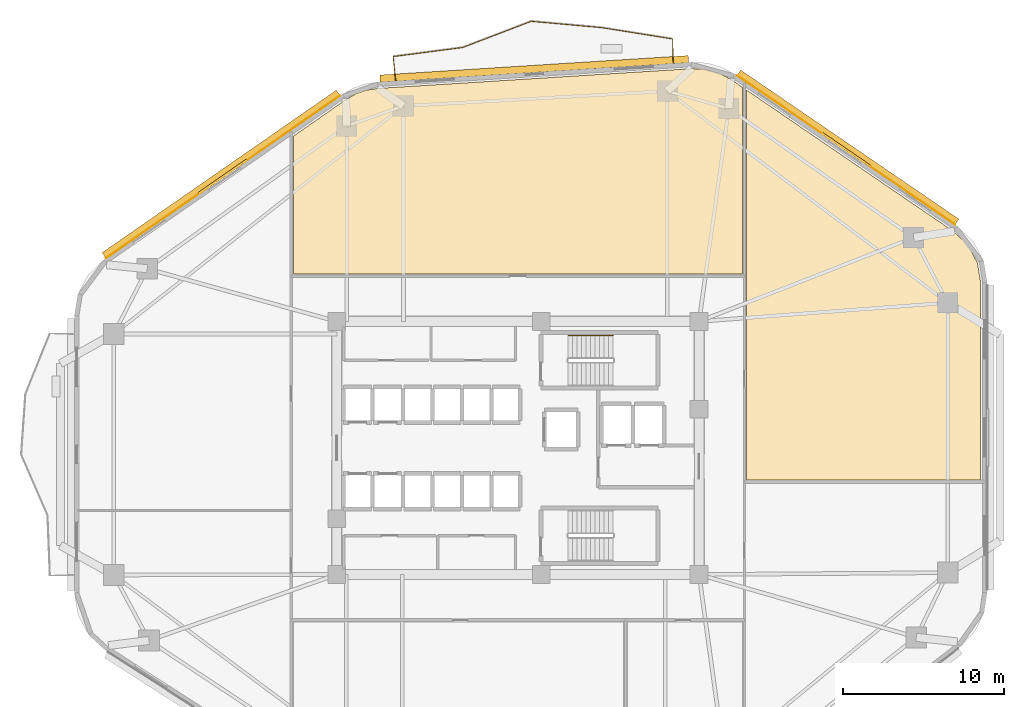
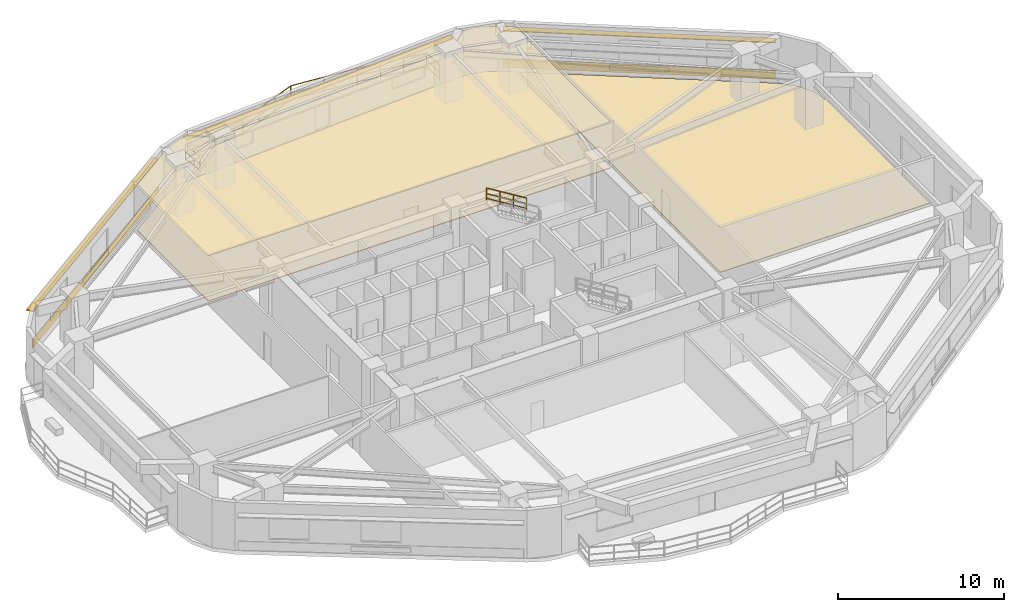
# One storey, part 9 of 9: 7 railings, 5 coverings, 5 shading devices.
"""IFC4 building model written with IfcOpenShell, lengths in metres."""

from ifc_helpers import new_model, si_unit, direction, frame, origin, origin_2d, place, context, subcontext, project, spatial, polyline, rectangle, outline, extrude, material, layer, layer_set, type_object, element, save


model = new_model("IFC4")

# Units and contexts
model_context = context("Model", 3, precision=1e-05, world=origin(), true_north=direction((0.0, 1.0)))
body_context = subcontext(model_context, "Body", "Model", "MODEL_VIEW")
ifc_project = project(units=[si_unit("LENGTHUNIT", "METRE"), si_unit("AREAUNIT", "SQUARE_METRE"), si_unit("VOLUMEUNIT", "CUBIC_METRE"), si_unit("PLANEANGLEUNIT", "RADIAN"), si_unit("MASSUNIT", "GRAM", prefix="KILO")], contexts=[model_context])

# Site, building, storey
site_placement = place(None, origin())
site = spatial("IfcSite", under=ifc_project, at=site_placement, CompositionType="ELEMENT")
building_placement = place(site_placement, origin())
building = spatial("IfcBuilding", under=site, at=building_placement, Name="Zulverin Broadcast Headquarters", CompositionType="ELEMENT")
storey_placement = place(building_placement, frame((0.0, 0.0, 74.39990234375)))
storey = spatial("IfcBuildingStorey", under=building, at=storey_placement, Name="L18", CompositionType="ELEMENT", Elevation=74.39990234375)

# Coverings
ifc_material_1 = material(Name="Perforated pale-metal acoustic baffle ceiling", Category="aluminium")
ifc_layer_1 = layer(ifc_material_1, 0.0400390625, Name="Perforated pale-metal acoustic baffle ceiling", Category="aluminium")
ifc_layer_set_1 = layer_set([ifc_layer_1], Name="Perforated pale-metal acoustic baffle ceiling")
covering_type_1 = type_object("IfcCoveringType", Name="COV-CEIL-ACOU", PredefinedType="CEILING", material=ifc_layer_set_1)
covering_1_placement = place(storey_placement, frame((0.0, 0.0, 3.34521484375)))
element("IfcCovering", 1, at=covering_1_placement, inside=storey, type_object=covering_type_1, Name="L18 Acoustic Baffle Ceiling 01", PredefinedType="CEILING", context=body_context, shape_type="SweptSolid", body=[
    extrude(outline(polyline([(48.68408203125, 48.76806640625), (47.823974609375, 48.80810546875), (28.27587890625, 47.575927734375), (27.575927734375, 47.468017578125), (26.927978515625, 47.243896484375), (26.31591796875, 46.89599609375), (23.02001953125, 44.60400390625), (23.02001953125, 36.02001953125), (50.97998046875, 36.02001953125), (50.97998046875, 47.64404296875), (50.248046875, 48.139892578125), (49.491943359375, 48.548095703125), (48.68408203125, 48.76806640625)])), origin(), (0.0, 0.0, 1.0), 0.039794921875),
])
ifc_material_2 = material(Name="Brushed pale-aluminium rainscreen cladding", Category="aluminium")
ifc_layer_2 = layer(ifc_material_2, 0.0400390625, Name="Brushed pale-aluminium rainscreen cladding", Category="aluminium")
ifc_layer_set_2 = layer_set([ifc_layer_2], Name="Brushed pale-aluminium rainscreen cladding")
covering_type_2 = type_object("IfcCoveringType", Name="COV-CLAD-PALE", PredefinedType="CLADDING", material=ifc_layer_set_2)
covering_2_placement = place(storey_placement, frame((57.418212890625, 43.742431640625, 0.05517578125), z_axis=(0.0, 0.0, 1.0), x_axis=(-0.825756855157, 0.564026254851, 0.0)))
element("IfcCovering", 2, at=covering_2_placement, inside=storey, type_object=covering_type_2, Name="L18 Brushed Pale-Aluminium Spandrel Cladding 4", PredefinedType="CLADDING", context=body_context, shape_type="SweptSolid", body=[
    extrude(rectangle(XDim=16.4482421875, YDim=0.0400390625, at=origin_2d()), origin(), (0.0, 0.0, 1.0), 0.64990234375),
])
covering_3_placement = place(storey_placement, frame((18.648193359375, 42.072021484375, 0.05517578125), z_axis=(0.0, 0.0, 1.0), x_axis=(-0.821556397865, -0.57012725345, 0.0)))
element("IfcCovering", 3, at=covering_3_placement, inside=storey, type_object=covering_type_2, Name="L18 Brushed Pale-Aluminium Spandrel Cladding 6", PredefinedType="CLADDING", context=body_context, shape_type="SweptSolid", body=[
    extrude(rectangle(XDim=17.732421875, YDim=0.0400390625, at=origin_2d()), origin(), (0.0, 0.0, 1.0), 0.64990234375),
])
ifc_material_3 = material(Name="Anti-static broadcast raised access flooring", Category="stone")
ifc_layer_3 = layer(ifc_material_3, 0.050048828125, Name="Anti-static broadcast raised access flooring", Category="stone")
ifc_layer_set_3 = layer_set([ifc_layer_3], Name="Anti-static broadcast raised access flooring")
covering_type_3 = type_object("IfcCoveringType", Name="COV-FLR-RAISED", PredefinedType="FLOORING", material=ifc_layer_set_3)
covering_4_placement = place(storey_placement, origin())
element("IfcCovering", 4, at=covering_4_placement, inside=storey, type_object=covering_type_3, Name="L18 Broadcast Raised Access Flooring 01", PredefinedType="FLOORING", context=body_context, shape_type="SweptSolid", body=[
    extrude(outline(polyline([(48.68408203125, 48.76806640625), (47.823974609375, 48.80810546875), (28.27587890625, 47.575927734375), (27.575927734375, 47.468017578125), (26.927978515625, 47.243896484375), (26.31591796875, 46.89599609375), (23.02001953125, 44.60400390625), (23.02001953125, 36.02001953125), (50.97998046875, 36.02001953125), (50.97998046875, 47.64404296875), (50.248046875, 48.139892578125), (49.491943359375, 48.548095703125), (48.68408203125, 48.76806640625)])), origin(), (0.0, 0.0, 1.0), 0.050048828125),
])
covering_5_placement = place(storey_placement, origin())
element("IfcCovering", 5, at=covering_5_placement, inside=storey, type_object=covering_type_3, Name="L18 Broadcast Raised Access Flooring 02", PredefinedType="FLOORING", context=body_context, shape_type="SweptSolid", body=[
    extrude(outline(polyline([(65.800048828125, 23.219970703125), (65.800048828125, 35.48388671875), (65.595947265625, 36.719970703125), (65.028076171875, 37.803955078125), (64.115966796875, 38.672119140625), (51.219970703125, 47.47998046875), (51.219970703125, 23.219970703125), (65.800048828125, 23.219970703125)])), origin(), (0.0, 0.0, 1.0), 0.050048828125),
])

# Railings
ifc_material_4 = material(Name="Brushed stainless steel & laminated glass balustrade", Category="steel")
railing_type_1 = type_object("IfcRailingType", Name="RL-GUARD-1150", PredefinedType="GUARDRAIL", material=ifc_material_4)
railing_1_placement = place(storey_placement, frame((46.662841796875, 49.176025390625, 0.0)))
element("IfcRailing", 6, at=railing_1_placement, inside=storey, type_object=railing_type_1, Name="L18 Vertical-Forest Balcony Guardrail BAL_N Segment 01", PredefinedType="GUARDRAIL", context=body_context, shape_type="SweptSolid", body=[
    extrude(rectangle(XDim=0.048095703125, YDim=0.048095703125, at=origin_2d()), frame((0.0, 0.0, 1.1259765625), z_axis=(-0.022479328211, 0.999747307975, 0.0), x_axis=(-0.999747307975, -0.022479328211, 0.0)), (0.0, 0.0, 1.0), 1.46630859375),
    extrude(rectangle(XDim=0.0419921875, YDim=0.0419921875, at=origin_2d()), frame((0.0, 0.0, 0.597900390625), z_axis=(-0.022479328211, 0.999747307975, 0.0), x_axis=(-0.999747307975, -0.022479328211, 0.0)), (0.0, 0.0, 1.0), 1.46630859375),
    extrude(rectangle(XDim=0.0419921875, YDim=0.0419921875, at=origin_2d()), frame((0.0, 0.0, 0.1201171875), z_axis=(-0.022479328211, 0.999747307975, 0.0), x_axis=(-0.999747307975, -0.022479328211, 0.0)), (0.0, 0.0, 1.0), 1.46630859375),
    extrude(rectangle(XDim=0.0419921875, YDim=0.0419921875, at=origin_2d()), origin(), (0.0, 0.0, 1.0), 1.101806640625),
    extrude(rectangle(XDim=0.0419921875, YDim=0.0419921875, at=origin_2d()), frame((-0.032958984375, 1.4658203125, 0.0)), (0.0, 0.0, 1.0), 1.101806640625),
])
railing_2_placement = place(storey_placement, frame((46.61474609375, 50.6591796875, 0.0)))
element("IfcRailing", 7, at=railing_2_placement, inside=storey, type_object=railing_type_1, Name="L18 Vertical-Forest Balcony Guardrail BAL_N Segment 02", PredefinedType="GUARDRAIL", context=body_context, shape_type="SweptSolid", body=[
    extrude(rectangle(XDim=0.048095703125, YDim=0.048095703125, at=origin_2d()), frame((0.0, 0.0, 1.1259765625), z_axis=(-0.98753524025, 0.157398059915, 0.0), x_axis=(-0.157398059915, -0.98753524025, 0.0)), (0.0, 0.0, 1.0), 4.43603515625),
    extrude(rectangle(XDim=0.0419921875, YDim=0.0419921875, at=origin_2d()), frame((0.0, 0.0, 0.597900390625), z_axis=(-0.98753524025, 0.157398059915, 0.0), x_axis=(-0.157398059915, -0.98753524025, 0.0)), (0.0, 0.0, 1.0), 4.43603515625),
    extrude(rectangle(XDim=0.0419921875, YDim=0.0419921875, at=origin_2d()), frame((0.0, 0.0, 0.1201171875), z_axis=(-0.98753524025, 0.157398059915, 0.0), x_axis=(-0.157398059915, -0.98753524025, 0.0)), (0.0, 0.0, 1.0), 4.43603515625),
    extrude(rectangle(XDim=0.0419921875, YDim=0.0419921875, at=origin_2d()), origin(), (0.0, 0.0, 1.0), 1.101806640625),
    extrude(rectangle(XDim=0.0419921875, YDim=0.0419921875, at=origin_2d()), frame((-1.460205078125, 0.232666015625, 0.0)), (0.0, 0.0, 1.0), 1.101806640625),
    extrude(rectangle(XDim=0.0419921875, YDim=0.0419921875, at=origin_2d()), frame((-2.920654296875, 0.465576171875, 0.0)), (0.0, 0.0, 1.0), 1.101806640625),
    extrude(rectangle(XDim=0.0419921875, YDim=0.0419921875, at=origin_2d()), frame((-4.380859375, 0.6982421875, 0.0)), (0.0, 0.0, 1.0), 1.101806640625),
])
railing_3_placement = place(storey_placement, frame((42.2041015625, 51.361083984375, 0.0)))
element("IfcRailing", 8, at=railing_3_placement, inside=storey, type_object=railing_type_1, Name="L18 Vertical-Forest Balcony Guardrail BAL_N Segment 03", PredefinedType="GUARDRAIL", context=body_context, shape_type="SweptSolid", body=[
    extrude(rectangle(XDim=0.048095703125, YDim=0.048095703125, at=origin_2d()), frame((0.0, 0.0, 1.1259765625), z_axis=(-0.995967815769, 0.089711258779, 0.0), x_axis=(-0.089711258779, -0.995967815769, 0.0)), (0.0, 0.0, 1.0), 4.378662109375),
    extrude(rectangle(XDim=0.0419921875, YDim=0.0419921875, at=origin_2d()), frame((0.0, 0.0, 0.597900390625), z_axis=(-0.995967815769, 0.089711258779, 0.0), x_axis=(-0.089711258779, -0.995967815769, 0.0)), (0.0, 0.0, 1.0), 4.378662109375),
    extrude(rectangle(XDim=0.0419921875, YDim=0.0419921875, at=origin_2d()), frame((0.0, 0.0, 0.1201171875), z_axis=(-0.995967815769, 0.089711258779, 0.0), x_axis=(-0.089711258779, -0.995967815769, 0.0)), (0.0, 0.0, 1.0), 4.378662109375),
    extrude(rectangle(XDim=0.0419921875, YDim=0.0419921875, at=origin_2d()), origin(), (0.0, 0.0, 1.0), 1.101806640625),
    extrude(rectangle(XDim=0.0419921875, YDim=0.0419921875, at=origin_2d()), frame((-2.1806640625, 0.1962890625, 0.0)), (0.0, 0.0, 1.0), 1.101806640625),
    extrude(rectangle(XDim=0.0419921875, YDim=0.0419921875, at=origin_2d()), frame((-4.361083984375, 0.392822265625, 0.0)), (0.0, 0.0, 1.0), 1.101806640625),
])
railing_4_placement = place(storey_placement, frame((37.814208984375, 51.749755859375, 0.0)))
element("IfcRailing", 9, at=railing_4_placement, inside=storey, type_object=railing_type_1, Name="L18 Vertical-Forest Balcony Guardrail BAL_N Segment 04", PredefinedType="GUARDRAIL", context=body_context, shape_type="SweptSolid", body=[
    extrude(rectangle(XDim=0.048095703125, YDim=0.048095703125, at=origin_2d()), frame((0.0, 0.0, 1.1259765625), z_axis=(-0.934010095267, -0.357246612215, 0.0), x_axis=(0.357246612215, -0.934010095267, 0.0)), (0.0, 0.0, 1.0), 4.534423828125),
    extrude(rectangle(XDim=0.0419921875, YDim=0.0419921875, at=origin_2d()), frame((0.0, 0.0, 0.597900390625), z_axis=(-0.934010095267, -0.357246612215, 0.0), x_axis=(0.357246612215, -0.934010095267, 0.0)), (0.0, 0.0, 1.0), 4.534423828125),
    extrude(rectangle(XDim=0.0419921875, YDim=0.0419921875, at=origin_2d()), frame((0.0, 0.0, 0.1201171875), z_axis=(-0.934010095267, -0.357246612215, 0.0), x_axis=(0.357246612215, -0.934010095267, 0.0)), (0.0, 0.0, 1.0), 4.534423828125),
    extrude(rectangle(XDim=0.0419921875, YDim=0.0419921875, at=origin_2d()), origin(), (0.0, 0.0, 1.0), 1.101806640625),
    extrude(rectangle(XDim=0.0419921875, YDim=0.0419921875, at=origin_2d()), frame((-1.41162109375, -0.5400390625, 0.0)), (0.0, 0.0, 1.0), 1.101806640625),
    extrude(rectangle(XDim=0.0419921875, YDim=0.0419921875, at=origin_2d()), frame((-2.823486328125, -1.079833984375, 0.0)), (0.0, 0.0, 1.0), 1.101806640625),
    extrude(rectangle(XDim=0.0419921875, YDim=0.0419921875, at=origin_2d()), frame((-4.235107421875, -1.619873046875, 0.0)), (0.0, 0.0, 1.0), 1.101806640625),
])
railing_5_placement = place(storey_placement, frame((33.550048828125, 50.12255859375, 0.0)))
element("IfcRailing", 10, at=railing_5_placement, inside=storey, type_object=railing_type_1, Name="L18 Vertical-Forest Balcony Guardrail BAL_N Segment 05", PredefinedType="GUARDRAIL", context=body_context, shape_type="SweptSolid", body=[
    extrude(rectangle(XDim=0.048095703125, YDim=0.048095703125, at=origin_2d()), frame((0.0, 0.0, 1.1259765625), z_axis=(-0.99161202167, -0.129250139186, 0.0), x_axis=(0.129250139186, -0.99161202167, 0.0)), (0.0, 0.0, 1.0), 4.3369140625),
    extrude(rectangle(XDim=0.0419921875, YDim=0.0419921875, at=origin_2d()), frame((0.0, 0.0, 0.597900390625), z_axis=(-0.99161202167, -0.129250139186, 0.0), x_axis=(0.129250139186, -0.99161202167, 0.0)), (0.0, 0.0, 1.0), 4.3369140625),
    extrude(rectangle(XDim=0.0419921875, YDim=0.0419921875, at=origin_2d()), frame((0.0, 0.0, 0.1201171875), z_axis=(-0.99161202167, -0.129250139186, 0.0), x_axis=(0.129250139186, -0.99161202167, 0.0)), (0.0, 0.0, 1.0), 4.3369140625),
    extrude(rectangle(XDim=0.0419921875, YDim=0.0419921875, at=origin_2d()), origin(), (0.0, 0.0, 1.0), 1.101806640625),
    extrude(rectangle(XDim=0.0419921875, YDim=0.0419921875, at=origin_2d()), frame((-2.150390625, -0.2802734375, 0.0)), (0.0, 0.0, 1.0), 1.101806640625),
    extrude(rectangle(XDim=0.0419921875, YDim=0.0419921875, at=origin_2d()), frame((-4.300537109375, -0.560546875, 0.0)), (0.0, 0.0, 1.0), 1.101806640625),
])
railing_6_placement = place(storey_placement, frame((29.236083984375, 49.545166015625, 0.0)))
element("IfcRailing", 11, at=railing_6_placement, inside=storey, type_object=railing_type_1, Name="L18 Vertical-Forest Balcony Guardrail BAL_N Segment 06", PredefinedType="GUARDRAIL", context=body_context, shape_type="SweptSolid", body=[
    extrude(rectangle(XDim=0.048095703125, YDim=0.048095703125, at=origin_2d()), frame((0.0, 0.0, 1.1259765625), z_axis=(0.103393334431, -0.994640547331, 0.0), x_axis=(0.994640547331, 0.103393334431, 0.0)), (0.0, 0.0, 1.0), 1.46630859375),
    extrude(rectangle(XDim=0.0419921875, YDim=0.0419921875, at=origin_2d()), frame((0.0, 0.0, 0.597900390625), z_axis=(0.103393334431, -0.994640547331, 0.0), x_axis=(0.994640547331, 0.103393334431, 0.0)), (0.0, 0.0, 1.0), 1.46630859375),
    extrude(rectangle(XDim=0.0419921875, YDim=0.0419921875, at=origin_2d()), frame((0.0, 0.0, 0.1201171875), z_axis=(0.103393334431, -0.994640547331, 0.0), x_axis=(0.994640547331, 0.103393334431, 0.0)), (0.0, 0.0, 1.0), 1.46630859375),
    extrude(rectangle(XDim=0.0419921875, YDim=0.0419921875, at=origin_2d()), origin(), (0.0, 0.0, 1.0), 1.101806640625),
    extrude(rectangle(XDim=0.0419921875, YDim=0.0419921875, at=origin_2d()), frame((0.151611328125, -1.45849609375, 0.0)), (0.0, 0.0, 1.0), 1.101806640625),
])
ifc_material_5 = material(Name="Brushed stainless steel 48 mm handrail", Category="steel")
railing_type_2 = type_object("IfcRailingType", Name="RL-ST-HAND", PredefinedType="HANDRAIL", material=ifc_material_5)
railing_7_placement = place(storey_placement, frame((42.929931640625, 32.199951171875, 2.07275390625)))
element("IfcRailing", 12, at=railing_7_placement, inside=storey, type_object=railing_type_2, Name="L18 ST-1 stair handrail 2", PredefinedType="HANDRAIL", context=body_context, shape_type="SweptSolid", body=[
    extrude(rectangle(XDim=0.048095703125, YDim=0.048095703125, at=origin_2d()), frame((0.0, 0.0, 0.8759765625), z_axis=(-0.851089632645, 0.0, 0.525020415988), x_axis=(0.0, -1.0, 0.0)), (0.0, 0.0, 1.0), 3.2900390625),
    extrude(rectangle(XDim=0.0419921875, YDim=0.0419921875, at=origin_2d()), frame((0.0, 0.0, 0.468017578125), z_axis=(-0.851089632645, 0.0, 0.525020415988), x_axis=(0.0, -1.0, 0.0)), (0.0, 0.0, 1.0), 3.2900390625),
    extrude(rectangle(XDim=0.0419921875, YDim=0.0419921875, at=origin_2d()), frame((0.0, 0.0, 0.1201171875), z_axis=(-0.851089632645, 0.0, 0.525020415988), x_axis=(0.0, -1.0, 0.0)), (0.0, 0.0, 1.0), 3.2900390625),
    extrude(rectangle(XDim=0.0419921875, YDim=0.0419921875, at=origin_2d()), origin(), (0.0, 0.0, 1.0), 0.851806640625),
    extrude(rectangle(XDim=0.0419921875, YDim=0.0419921875, at=origin_2d()), frame((-0.933349609375, 0.0, 0.57568359375)), (0.0, 0.0, 1.0), 0.851806640625),
    extrude(rectangle(XDim=0.0419921875, YDim=0.0419921875, at=origin_2d()), frame((-1.86669921875, 0.0, 1.151611328125)), (0.0, 0.0, 1.0), 0.851806640625),
    extrude(rectangle(XDim=0.0419921875, YDim=0.0419921875, at=origin_2d()), frame((-2.800048828125, 0.0, 1.727294921875)), (0.0, 0.0, 1.0), 0.851806640625),
])

# Shading devices
ifc_material_6 = material(Name="Anodized pale-metal aluminium acoustic louvre", Category="aluminium")
shading_device_type_1 = type_object("IfcShadingDeviceType", Name="SHD-LOUVRE-350", PredefinedType="USERDEFINED", material=ifc_material_6)
for number, where, z_axis, x_axis, name in (
    (13, (57.435302734375, 43.76708984375, 0.2451171875), (0.0, 0.0, 1.0), (-0.825756855157, 0.564026254851, 0.0), "L18 Spandrel Intake Louvre 4"),
    (14, (18.631103515625, 42.0966796875, 0.2451171875), (0.0, 0.0, 1.0), (-0.821556397865, -0.57012725345, 0.0), "L18 Spandrel Intake Louvre 6"),
):
    element("IfcShadingDevice", number, at=place(storey_placement, frame(where, z_axis=z_axis, x_axis=x_axis)), inside=storey, type_object=shading_device_type_1, Name=name, ObjectType="LOUVRE", PredefinedType="USERDEFINED", context=body_context, shape_type="SweptSolid", body=[
        extrude(rectangle(XDim=3.60009765625, YDim=0.1201171875, at=origin_2d()), origin(), (0.0, 0.0, 1.0), 0.35009765625),
    ])
ifc_material_7 = material(Name="Anodized pale-metal aluminium sunshade", Category="aluminium")
ifc_layer_4 = layer(ifc_material_7, 0.06005859375, Name="Anodized pale-metal aluminium sunshade", Category="aluminium")
ifc_layer_set_4 = layer_set([ifc_layer_4], Name="Anodized pale-metal aluminium sunshade")
shading_device_type_2 = type_object("IfcShadingDeviceType", Name="SS-01_PALE_METAL_ALUMINIUM_SUNSHADE", PredefinedType="USERDEFINED", material=ifc_layer_set_4)
shading_device_1_placement = place(storey_placement, frame((57.525390625, 43.8994140625, 2.7099609375), z_axis=(0.0, 0.0, 1.0), x_axis=(-0.825756855157, 0.564026254851, 0.0)))
element("IfcShadingDevice", 15, at=shading_device_1_placement, inside=storey, type_object=shading_device_type_2, Name="L18 Horizontal Pale-Metal Sunshade Band 4", ObjectType="SUNSHADE", PredefinedType="USERDEFINED", context=body_context, shape_type="SweptSolid", body=[
    extrude(rectangle(XDim=16.4482421875, YDim=0.449951171875, at=origin_2d()), origin(), (0.0, 0.0, 1.0), 0.06005859375),
])
shading_device_2_placement = place(storey_placement, frame((38.01513671875, 48.791015625, 2.7099609375), z_axis=(0.0, 0.0, 1.0), x_axis=(-0.998017621976, -0.062935095345, 0.0)))
element("IfcShadingDevice", 16, at=shading_device_2_placement, inside=storey, type_object=shading_device_type_2, Name="L18 Horizontal Pale-Metal Sunshade Band 5", ObjectType="SUNSHADE", PredefinedType="USERDEFINED", context=body_context, shape_type="SweptSolid", body=[
    extrude(rectangle(XDim=19.2294921875, YDim=0.449951171875, at=origin_2d()), origin(), (0.0, 0.0, 1.0), 0.06005859375),
])
shading_device_3_placement = place(storey_placement, frame((18.539794921875, 42.22802734375, 2.7099609375), z_axis=(0.0, 0.0, 1.0), x_axis=(-0.821556397865, -0.57012725345, 0.0)))
element("IfcShadingDevice", 17, at=shading_device_3_placement, inside=storey, type_object=shading_device_type_2, Name="L18 Horizontal Pale-Metal Sunshade Band 6", ObjectType="SUNSHADE", PredefinedType="USERDEFINED", context=body_context, shape_type="SweptSolid", body=[
    extrude(rectangle(XDim=17.732421875, YDim=0.449951171875, at=origin_2d()), origin(), (0.0, 0.0, 1.0), 0.06005859375),
])

save(model, "model.ifc")
